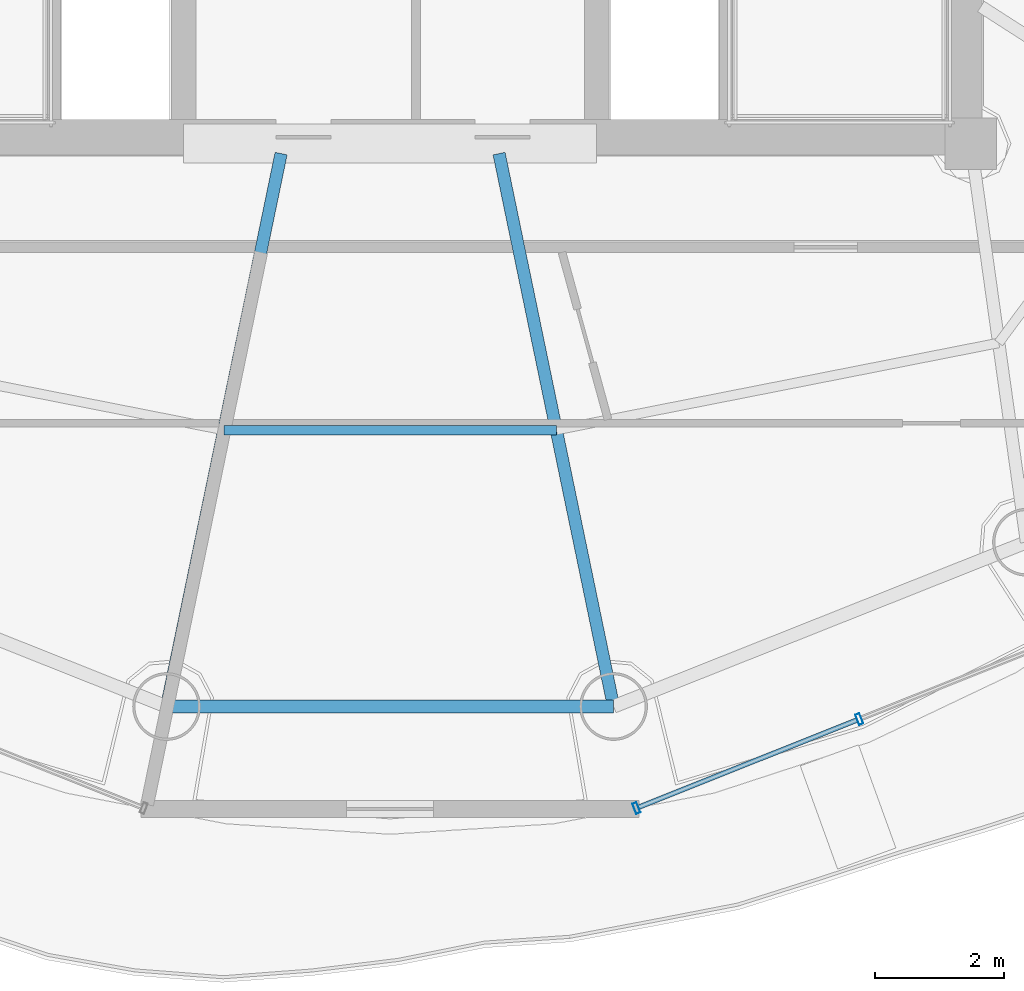
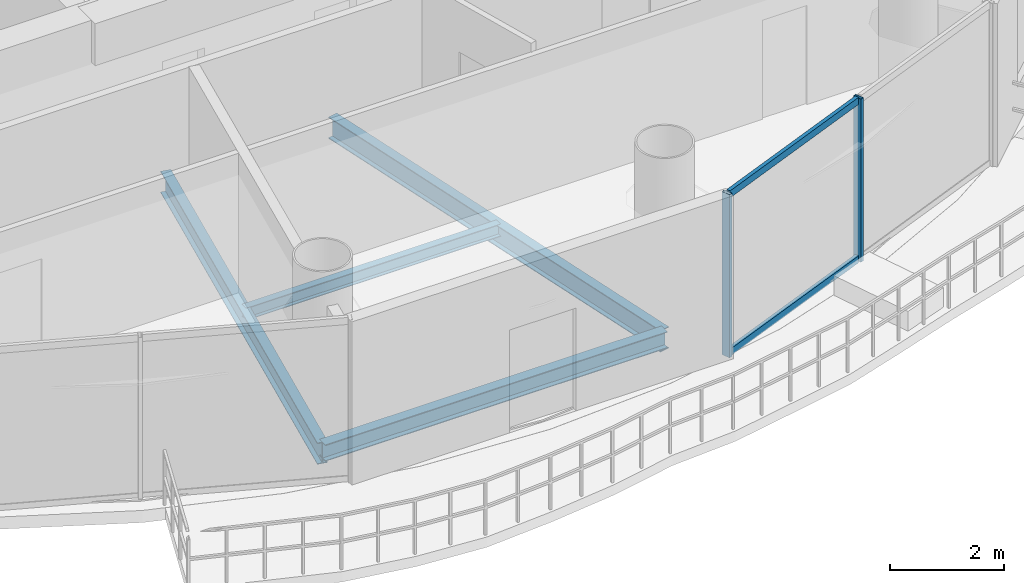
# One storey, part 5 of 22: 4 beams, 4 members, 1 element without a shape of its own.
"""IFC4 building model written with IfcOpenShell, lengths in metres."""

from ifc_helpers import new_model, si_unit, direction, frame, origin, origin_2d, place, context, subcontext, project, spatial, hollow_rectangle, i_section, extrude, source, transform, mapped, material, material_profile, profile_set, type_object, element, aggregate, save


model = new_model("IFC4")

# Units and contexts
model_context = context("Model", 3, precision=1e-05, world=origin(), true_north=direction((-0.2419218956, 0.970295726276)))
body_context = subcontext(model_context, "Body", "Model", "MODEL_VIEW")
ifc_project = project(units=[si_unit("LENGTHUNIT", "METRE"), si_unit("AREAUNIT", "SQUARE_METRE"), si_unit("VOLUMEUNIT", "CUBIC_METRE"), si_unit("PLANEANGLEUNIT", "RADIAN"), si_unit("MASSUNIT", "GRAM", prefix="KILO")], contexts=[model_context])

# Site, building, storey
site_placement = place(None, origin())
site = spatial("IfcSite", under=ifc_project, at=site_placement, CompositionType="ELEMENT")
building_placement = place(site_placement, origin())
building = spatial("IfcBuilding", under=site, at=building_placement, Name="Cobrevalo Terracotta Tower", CompositionType="ELEMENT")
storey_placement = place(building_placement, frame((0.0, 0.0, 289.449951171875)))
storey = spatial("IfcBuildingStorey", under=building, at=storey_placement, Name="L76", CompositionType="ELEMENT", Elevation=289.449951171875)

# Beams
ifc_material_1 = material(Name="Steel S355", Category="steel")
ifc_material_profile_1 = material_profile(ifc_material_1, i_section(OverallWidth=0.19091796875, OverallDepth=0.4599609375, WebThickness=0.010009765625, FlangeThickness=0.01611328125, at=origin_2d()), Name="W 460x82")
ifc_profile_set_1 = profile_set([ifc_material_profile_1], Name="Steel S355")
beam_type_1 = type_object("IfcBeamType", Name="Structural Beam W 460x82 (Steel S355)", PredefinedType="BEAM", material=ifc_profile_set_1)
for number, where, z_axis, x_axis, name in (
    (1, (34.537109375, 10.07763671875, -0.489990234375), (0.202781841237, 0.9792239401, 0.0), (-0.9792239401, 0.202781841237, 0.0), "L76 radial floor girder 12"),
    (2, (41.462890625, 10.07763671875, -0.489990234375), (-0.202781841237, 0.9792239401, 0.0), (-0.9792239401, -0.202781841237, 0.0), "L76 radial floor girder 13"),
):
    element("IfcBeam", number, at=place(storey_placement, frame(where, z_axis=z_axis, x_axis=x_axis)), inside=storey, type_object=beam_type_1, Name=name, PredefinedType="BEAM", context=body_context, shape_type="SweptSolid", body=[
        extrude(i_section(OverallWidth=0.19091796875, OverallDepth=0.4599609375, WebThickness=0.010009765625, FlangeThickness=0.01611328125, at=origin_2d()), origin(), (0.0, 0.0, 1.0), 8.749267578125),
    ])
ifc_material_profile_2 = material_profile(ifc_material_1, i_section(OverallWidth=0.14794921875, OverallDepth=0.26611328125, WebThickness=0.007568359375, FlangeThickness=0.012939453125, at=origin_2d()), Name="W 250x44.8")
ifc_profile_set_2 = profile_set([ifc_material_profile_2], Name="Steel S355")
beam_type_2 = type_object("IfcBeamType", Name="Structural Joist W 250x44.8 (Steel S355)", PredefinedType="JOIST", material=ifc_profile_set_2)
beam_1_placement = place(storey_placement, frame((35.42431640625, 14.361328125, -0.39306640625), z_axis=(1.0, 0.0, 0.0), x_axis=(0.0, 1.0, 0.0)))
element("IfcBeam", 3, at=beam_1_placement, inside=storey, type_object=beam_type_2, Name="L76 circumferential secondary floor joist 12", PredefinedType="JOIST", context=body_context, shape_type="SweptSolid", body=[
    extrude(i_section(OverallWidth=0.14794921875, OverallDepth=0.26611328125, WebThickness=0.007568359375, FlangeThickness=0.012939453125, at=origin_2d()), origin(), (0.0, 0.0, 1.0), 5.1513671875),
])
ifc_material_profile_3 = material_profile(ifc_material_1, i_section(OverallWidth=0.205078125, OverallDepth=0.35400390625, WebThickness=0.009521484375, FlangeThickness=0.016845703125, at=origin_2d()), Name="W 360x79")
ifc_profile_set_3 = profile_set([ifc_material_profile_3], Name="Steel S355")
beam_type_3 = type_object("IfcBeamType", Name="Structural Spandrel W 360x79 (Steel S355)", PredefinedType="SPANDREL", material=ifc_profile_set_3)
beam_2_placement = place(storey_placement, frame((34.537109375, 10.07763671875, -0.43701171875), z_axis=(1.0, 0.0, 0.0), x_axis=(0.0, 1.0, 0.0)))
element("IfcBeam", 4, at=beam_2_placement, inside=storey, type_object=beam_type_3, Name="L76 perimeter ring spandrel 12", PredefinedType="SPANDREL", context=body_context, shape_type="SweptSolid", body=[
    extrude(i_section(OverallWidth=0.205078125, OverallDepth=0.35400390625, WebThickness=0.009521484375, FlangeThickness=0.016845703125, at=origin_2d()), origin(), (0.0, 0.0, 1.0), 6.92578125),
])

# Curtain wall, members
ifc_material_2 = material(Name="Anodized aluminium", Category="aluminium")
curtain_wall_type = type_object("IfcCurtainWallType", Name="Upper-tower triple-glazed penthouse curtain wall CW-U3", PredefinedType="NOTDEFINED", material=ifc_material_2)
curtain_wall_placement = place(storey_placement, origin())
curtain_wall = element("IfcCurtainWall", 5, at=curtain_wall_placement, inside=storey, type_object=curtain_wall_type, Name="L76 curtain wall CW-L76-S13", PredefinedType="NOTDEFINED")
ifc_material_profile_4 = material_profile(ifc_material_2, hollow_rectangle(XDim=0.070068359375, YDim=0.169921875, WallThickness=0.00439453125, at=origin_2d()), Name="CWM 70x170")
ifc_profile_set_4 = profile_set([ifc_material_profile_4], Name="Anodized aluminium")
member_type_1 = type_object("IfcMemberType", Name="Upper tower unitised mullion 70x170", PredefinedType="MULLION", material=ifc_profile_set_4)
shared_shape_1 = source(origin(), body_context, "Body", "SweptSolid", [
    extrude(hollow_rectangle(XDim=0.070068359375, YDim=0.169921875, WallThickness=0.00439453125, at=origin_2d()), origin(), (0.0, 0.0, 1.0), 3.489990234375),
])
member_1_placement = place(storey_placement, frame((41.816162109375, 8.503662109375, 0.0), z_axis=(0.0, 0.0, 1.0), x_axis=(0.928718980883, 0.370784377433, 0.0)))
member_1 = element("IfcMember", 6, at=member_1_placement, type_object=member_type_1, Name="CW-L76-S13 vertical mullion 01", PredefinedType="MULLION", context=body_context, shape_type="MappedRepresentation", body=[
    mapped(shared_shape_1, transform((0.0, 0.0, 0.0), scale=1.0)),
])
member_2_placement = place(storey_placement, frame((45.270263671875, 9.882568359375, 0.0), z_axis=(0.0, 0.0, 1.0), x_axis=(0.928718980883, 0.370784377433, 0.0)))
member_2 = element("IfcMember", 7, at=member_2_placement, type_object=member_type_1, Name="CW-L76-S13 vertical mullion 02", PredefinedType="MULLION", context=body_context, shape_type="MappedRepresentation", body=[
    mapped(shared_shape_1, transform((0.0, 0.0, 0.0), scale=1.0)),
])
ifc_material_profile_5 = material_profile(ifc_material_2, hollow_rectangle(XDim=0.074951171875, YDim=0.14990234375, WallThickness=0.00439453125, at=origin_2d()), Name="CWT 75x150")
ifc_profile_set_5 = profile_set([ifc_material_profile_5], Name="Anodized aluminium")
member_type_2 = type_object("IfcMemberType", Name="Tower unitised aluminium transom 75x150", PredefinedType="USERDEFINED", material=ifc_profile_set_5)
shared_shape_2 = source(origin(), body_context, "Body", "SweptSolid", [
    extrude(hollow_rectangle(XDim=0.074951171875, YDim=0.14990234375, WallThickness=0.00439453125, at=origin_2d()), origin(), (0.0, 0.0, 1.0), 3.63916015625),
])
member_3_placement = place(storey_placement, frame((41.853271484375, 8.518310546875, 0.050048828125), z_axis=(0.928712471544, 0.370800681227, 0.0), x_axis=(-0.370800681227, 0.928712471544, 0.0)))
member_3 = element("IfcMember", 8, at=member_3_placement, type_object=member_type_2, Name="CW-L76-S13 transom B01-T1", ObjectType="TRANSOM", PredefinedType="USERDEFINED", context=body_context, shape_type="MappedRepresentation", body=[
    mapped(shared_shape_2, transform((0.0, 0.0, 0.0), scale=1.0)),
])
member_4_placement = place(storey_placement, frame((41.853271484375, 8.518310546875, 3.43994140625), z_axis=(0.928712471544, 0.370800681227, 0.0), x_axis=(-0.370800681227, 0.928712471544, 0.0)))
member_4 = element("IfcMember", 9, at=member_4_placement, type_object=member_type_2, Name="CW-L76-S13 transom B01-T2", ObjectType="TRANSOM", PredefinedType="USERDEFINED", context=body_context, shape_type="MappedRepresentation", body=[
    mapped(shared_shape_2, transform((0.0, 0.0, 0.0), scale=1.0)),
])
aggregate(curtain_wall, [member_1, member_2, member_3, member_4])

save(model, "model.ifc")
